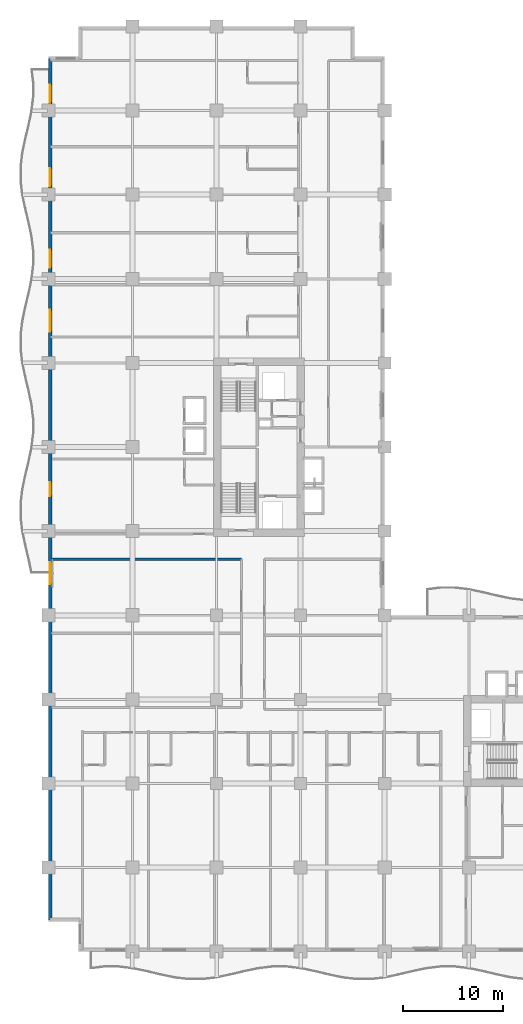
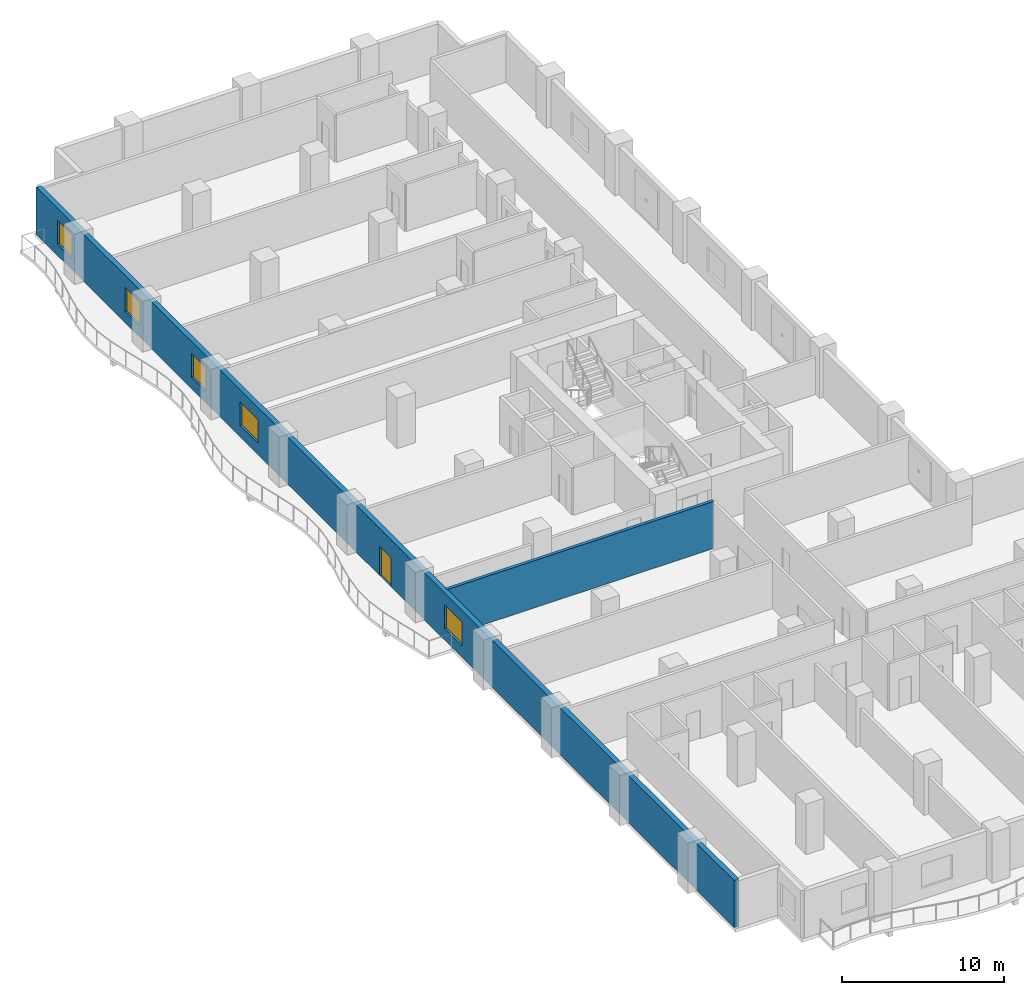
# One storey, part 6 of 17: 5 windows, 2 walls, 1 door, 6 openings.
"""IFC4 building model written with IfcOpenShell, lengths in metres."""

from ifc_helpers import new_model, si_unit, direction, frame, frame_2d, origin, place, context, subcontext, project, spatial, rectangle, extrude, material, layer, layer_set, type_object, element, fill, save


model = new_model("IFC4")

# Units and contexts
model_context = context("Model", 3, precision=1e-05, world=origin(), true_north=direction((0.0, 1.0)))
body_context = subcontext(model_context, "Body", "Model", "MODEL_VIEW")
ifc_project = project(units=[si_unit("LENGTHUNIT", "METRE"), si_unit("AREAUNIT", "SQUARE_METRE"), si_unit("VOLUMEUNIT", "CUBIC_METRE"), si_unit("PLANEANGLEUNIT", "RADIAN"), si_unit("MASSUNIT", "GRAM", prefix="KILO")], contexts=[model_context])

# Site, building, storey
site_placement = place(None, origin())
site = spatial("IfcSite", under=ifc_project, at=site_placement, CompositionType="ELEMENT")
building_placement = place(site_placement, origin())
building = spatial("IfcBuilding", under=site, at=building_placement, Name="Koriwani Terraces Tower", CompositionType="ELEMENT")
storey_placement = place(building_placement, frame((0.0, 0.0, 130.39990234375)))
storey = spatial("IfcBuildingStorey", under=building, at=storey_placement, Name="L31", CompositionType="ELEMENT", Elevation=130.39990234375)

# Wall
ifc_material_1 = material(Name="Autoclaved Cellular Concrete Blockwork", Category="masonry")
ifc_layer_1 = layer(ifc_material_1, 0.219970703125, Name="Autoclaved Cellular Concrete Blockwork")
ifc_layer_set_1 = layer_set([ifc_layer_1], Name="Autoclaved Cellular Concrete Blockwork")
wall_type_1 = type_object("IfcWallType", Name="WALL_DEMISING_220", PredefinedType="PARTITIONING", material=ifc_layer_set_1)
wall_1_placement = place(storey_placement, frame((0.300048828125, 39.199951171875, 0.0), z_axis=(0.0, 0.0, 1.0), x_axis=(1.0, 0.0, 0.0)))
element("IfcWall", 1, at=wall_1_placement, inside=storey, type_object=wall_type_1, Name="L31 Interior Wall WC2NWCLN-L31", PredefinedType="PARTITIONING", context=body_context, shape_type="SweptSolid", body=[
    extrude(rectangle(XDim=19.0, YDim=0.219970703125, at=frame_2d((9.5, 0.0))), origin(), (0.0, 0.0, 1.0), 3.550048828125),
])

# Wall, openings, door, windows
ifc_material_2 = material(Name="Concrete C50/60", Category="concrete")
ifc_layer_2 = layer(ifc_material_2, 0.35009765625, Name="Concrete C50/60")
ifc_layer_set_2 = layer_set([ifc_layer_2], Name="Concrete C50/60")
wall_type_2 = type_object("IfcWallType", Name="WALL_EXT_BRUTALIST_350", PredefinedType="STANDARD", material=ifc_layer_set_2)
wall_2_placement = place(storey_placement, frame((0.175048828125, 3.175048828125, 0.0), z_axis=(0.0, 0.0, 1.0), x_axis=(0.0, 1.0, 0.0)))
wall_2 = element("IfcWall", 2, at=wall_2_placement, inside=storey, type_object=wall_type_2, Name="L31 Fair-Faced Brutalist Exterior Wall (W)", PredefinedType="STANDARD", context=body_context, shape_type="SweptSolid", body=[
    extrude(rectangle(XDim=86.050048828125, YDim=0.35009765625, at=frame_2d((43.02490234375, 0.0))), origin(), (0.0, 0.0, 1.0), 3.550048828125),
])
opening_1_placement = place(wall_2_placement, frame((42.324951171875, 0.0, 0.0)))
opening_1 = element("IfcOpeningElement", 3, at=opening_1_placement, cuts=wall_2, Name="Opening D-09", PredefinedType="OPENING", context=body_context, shape_type="SweptSolid", body=[
    extrude(rectangle(XDim=1.39990234375, YDim=2.199951171875, at=frame_2d((0.699951171875, 1.10009765625))), frame((0.0, 0.18505859375, 0.0), z_axis=(0.0, -1.0, 0.0), x_axis=(1.0, 0.0, 0.0)), (0.0, 0.0, 1.0), 0.3701171875),
])
opening_2_placement = place(wall_2_placement, frame((33.52490234375, 0.0, 0.85009765625)))
opening_2 = element("IfcOpeningElement", 4, at=opening_2_placement, cuts=wall_2, Name="Opening W-01", PredefinedType="OPENING", context=body_context, shape_type="SweptSolid", body=[
    extrude(rectangle(XDim=2.199951171875, YDim=1.800048828125, at=frame_2d((1.10009765625, 0.89990234375))), frame((0.0, 0.18505859375, 0.0), z_axis=(0.0, -1.0, 0.0), x_axis=(1.0, 0.0, 0.0)), (0.0, 0.0, 1.0), 0.3701171875),
])
opening_3_placement = place(wall_2_placement, frame((58.72509765625, 0.0, 0.85009765625)))
opening_3 = element("IfcOpeningElement", 5, at=opening_3_placement, cuts=wall_2, Name="Opening W-01", PredefinedType="OPENING", context=body_context, shape_type="SweptSolid", body=[
    extrude(rectangle(XDim=2.199951171875, YDim=1.800048828125, at=frame_2d((1.10009765625, 0.89990234375))), frame((0.0, 0.18505859375, 0.0), z_axis=(0.0, -1.0, 0.0), x_axis=(1.0, 0.0, 0.0)), (0.0, 0.0, 1.0), 0.3701171875),
])
opening_4_placement = place(wall_2_placement, frame((65.125, 0.0, 0.85009765625)))
opening_4 = element("IfcOpeningElement", 6, at=opening_4_placement, cuts=wall_2, Name="Opening W-04", PredefinedType="OPENING", context=body_context, shape_type="SweptSolid", body=[
    extrude(rectangle(XDim=1.800048828125, YDim=1.800048828125, at=frame_2d((0.89990234375, 0.89990234375))), frame((0.0, 0.18505859375, 0.0), z_axis=(0.0, -1.0, 0.0), x_axis=(1.0, 0.0, 0.0)), (0.0, 0.0, 1.0), 0.3701171875),
])
opening_5_placement = place(wall_2_placement, frame((73.27490234375, 0.0, 0.85009765625)))
opening_5 = element("IfcOpeningElement", 7, at=opening_5_placement, cuts=wall_2, Name="Opening W-04", PredefinedType="OPENING", context=body_context, shape_type="SweptSolid", body=[
    extrude(rectangle(XDim=1.800048828125, YDim=1.800048828125, at=frame_2d((0.89990234375, 0.89990234375))), frame((0.0, 0.18505859375, 0.0), z_axis=(0.0, -1.0, 0.0), x_axis=(1.0, 0.0, 0.0)), (0.0, 0.0, 1.0), 0.3701171875),
])
opening_6_placement = place(wall_2_placement, frame((81.625, 0.0, 0.85009765625)))
opening_6 = element("IfcOpeningElement", 8, at=opening_6_placement, cuts=wall_2, Name="Opening W-04", PredefinedType="OPENING", context=body_context, shape_type="SweptSolid", body=[
    extrude(rectangle(XDim=1.800048828125, YDim=1.800048828125, at=frame_2d((0.89990234375, 0.89990234375))), frame((0.0, 0.18505859375, 0.0), z_axis=(0.0, -1.0, 0.0), x_axis=(1.0, 0.0, 0.0)), (0.0, 0.0, 1.0), 0.3701171875),
])
ifc_material_3 = material(Name="Anodised Bronze Aluminium", Category="aluminium")
door_type = type_object("IfcDoorType", Name="DOOR_BALCONY_GLAZED_1400X2200", OperationType="NOTDEFINED", PredefinedType="DOOR", material=ifc_material_3)
door_placement = place(opening_1_placement, origin())
door = element("IfcDoor", 9, at=door_placement, inside=storey, type_object=door_type, Name="L31 West Balcony Glazed Door", OperationType="SINGLE_SWING_LEFT", OverallHeight=2.199951171875, OverallWidth=1.39990234375, PredefinedType="DOOR", context=body_context, shape_type="SweptSolid", body=[
    extrude(rectangle(XDim=1.39990234375, YDim=2.199951171875, at=frame_2d((0.699951171875, 1.10009765625))), frame((0.0, 0.02490234375, 0.0), z_axis=(0.0, -1.0, 0.0), x_axis=(1.0, 0.0, 0.0)), (0.0, 0.0, 1.0), 0.050048828125),
])
fill(opening_1, door)
ifc_material_4 = material(Name="Tempered Laminated Low-E Glass", Category="glass")
window_type_1 = type_object("IfcWindowType", Name="WIN_HOTEL_STD_2200X1800", PartitioningType="DOUBLE_PANEL_VERTICAL", PredefinedType="WINDOW", material=ifc_material_4)
window_1_placement = place(opening_2_placement, origin())
window_1 = element("IfcWindow", 10, at=window_1_placement, inside=storey, type_object=window_type_1, Name="L31 Exterior Window (W-12)", OverallHeight=1.800048828125, OverallWidth=2.199951171875, PartitioningType="SINGLE_PANEL", PredefinedType="WINDOW", context=body_context, shape_type="SweptSolid", body=[
    extrude(rectangle(XDim=2.199951171875, YDim=1.800048828125, at=frame_2d((1.10009765625, 0.89990234375))), frame((0.0, 0.030029296875, 0.0), z_axis=(0.0, -1.0, 0.0), x_axis=(1.0, 0.0, 0.0)), (0.0, 0.0, 1.0), 0.06005859375),
])
fill(opening_2, window_1)
window_2_placement = place(opening_3_placement, origin())
window_2 = element("IfcWindow", 11, at=window_2_placement, inside=storey, type_object=window_type_1, Name="L31 Exterior Window (W-21)", OverallHeight=1.800048828125, OverallWidth=2.199951171875, PartitioningType="SINGLE_PANEL", PredefinedType="WINDOW", context=body_context, shape_type="SweptSolid", body=[
    extrude(rectangle(XDim=2.199951171875, YDim=1.800048828125, at=frame_2d((1.10009765625, 0.89990234375))), frame((0.0, 0.030029296875, 0.0), z_axis=(0.0, -1.0, 0.0), x_axis=(1.0, 0.0, 0.0)), (0.0, 0.0, 1.0), 0.06005859375),
])
fill(opening_3, window_2)
window_type_2 = type_object("IfcWindowType", Name="WIN_RES_BED_1800X1800", PartitioningType="DOUBLE_PANEL_VERTICAL", PredefinedType="WINDOW", material=ifc_material_4)
window_3_placement = place(opening_4_placement, origin())
window_3 = element("IfcWindow", 12, at=window_3_placement, inside=storey, type_object=window_type_2, Name="L31 Exterior Window (W-R50)", OverallHeight=1.800048828125, OverallWidth=1.800048828125, PartitioningType="SINGLE_PANEL", PredefinedType="WINDOW", context=body_context, shape_type="SweptSolid", body=[
    extrude(rectangle(XDim=1.800048828125, YDim=1.800048828125, at=frame_2d((0.89990234375, 0.89990234375))), frame((0.0, 0.030029296875, 0.0), z_axis=(0.0, -1.0, 0.0), x_axis=(1.0, 0.0, 0.0)), (0.0, 0.0, 1.0), 0.06005859375),
])
fill(opening_4, window_3)
window_4_placement = place(opening_5_placement, origin())
window_4 = element("IfcWindow", 13, at=window_4_placement, inside=storey, type_object=window_type_2, Name="L31 Exterior Window (W-R52)", OverallHeight=1.800048828125, OverallWidth=1.800048828125, PartitioningType="SINGLE_PANEL", PredefinedType="WINDOW", context=body_context, shape_type="SweptSolid", body=[
    extrude(rectangle(XDim=1.800048828125, YDim=1.800048828125, at=frame_2d((0.89990234375, 0.89990234375))), frame((0.0, 0.030029296875, 0.0), z_axis=(0.0, -1.0, 0.0), x_axis=(1.0, 0.0, 0.0)), (0.0, 0.0, 1.0), 0.06005859375),
])
fill(opening_5, window_4)
window_5_placement = place(opening_6_placement, origin())
window_5 = element("IfcWindow", 14, at=window_5_placement, inside=storey, type_object=window_type_2, Name="L31 Exterior Window (W-R54)", OverallHeight=1.800048828125, OverallWidth=1.800048828125, PartitioningType="SINGLE_PANEL", PredefinedType="WINDOW", context=body_context, shape_type="SweptSolid", body=[
    extrude(rectangle(XDim=1.800048828125, YDim=1.800048828125, at=frame_2d((0.89990234375, 0.89990234375))), frame((0.0, 0.030029296875, 0.0), z_axis=(0.0, -1.0, 0.0), x_axis=(1.0, 0.0, 0.0)), (0.0, 0.0, 1.0), 0.06005859375),
])
fill(opening_6, window_5)

save(model, "model.ifc")
